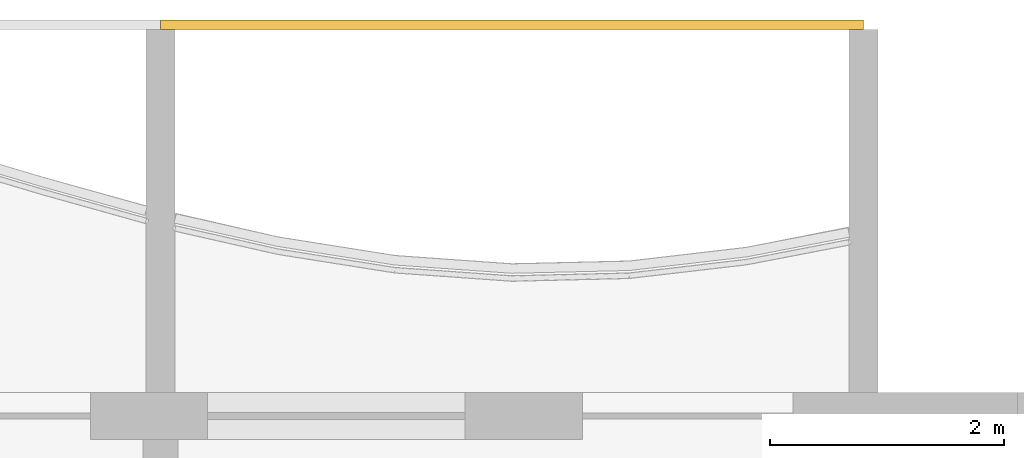
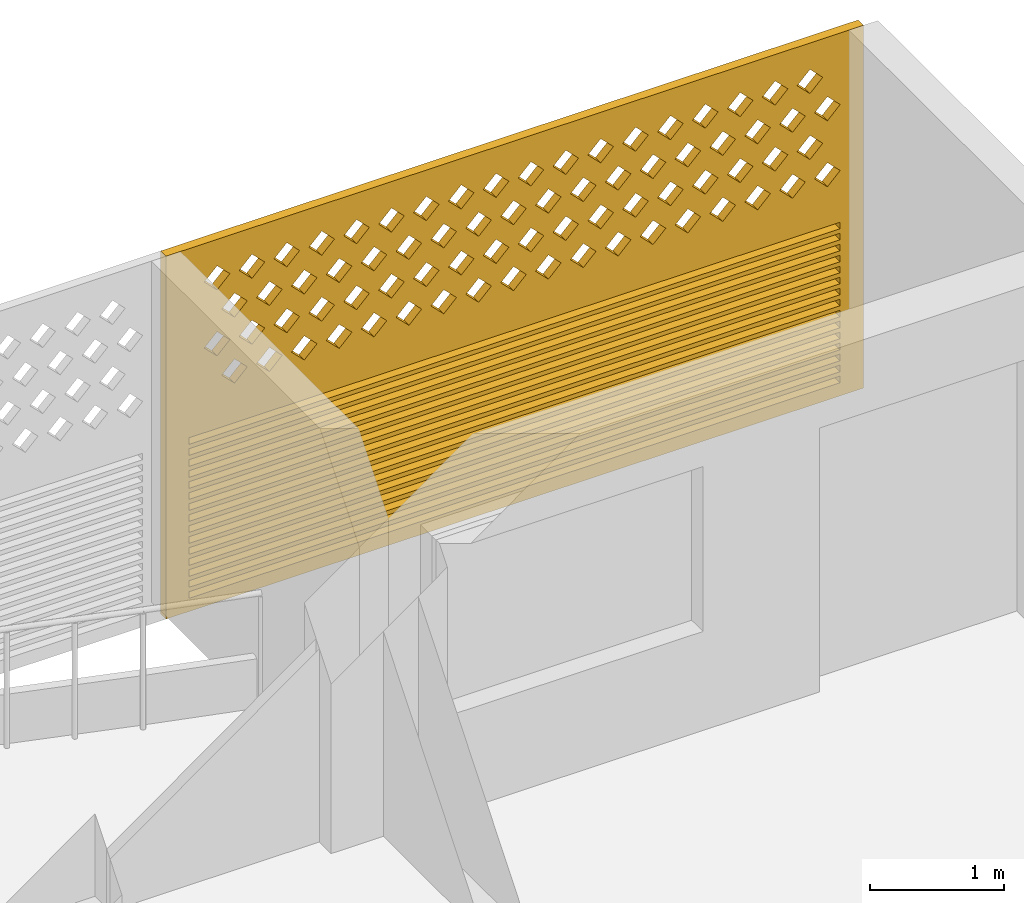
# One storey, part 33 of 33: 1 covering.
"""IFC4 building model written with IfcOpenShell, lengths in metres."""

from ifc_helpers import new_model, si_unit, direction, frame, origin, place, context, subcontext, project, spatial, polyline, outline, extrude, source, transform, mapped, material, material_profile, profile_set, type_object, element, save


model = new_model("IFC4")

# Units and contexts
model_context = context("Model", 3, precision=1e-05, world=origin(), true_north=direction((0.0, 1.0)))
body_context = subcontext(model_context, "Body", "Model", "MODEL_VIEW")
ifc_project = project(units=[si_unit("LENGTHUNIT", "METRE"), si_unit("AREAUNIT", "SQUARE_METRE"), si_unit("VOLUMEUNIT", "CUBIC_METRE"), si_unit("PLANEANGLEUNIT", "RADIAN"), si_unit("MASSUNIT", "GRAM", prefix="KILO")], contexts=[model_context])

# Site, building, storey
site_placement = place(None, origin())
site = spatial("IfcSite", under=ifc_project, at=site_placement, CompositionType="ELEMENT")
building_placement = place(site_placement, origin())
building = spatial("IfcBuilding", under=site, at=building_placement, Name="Poui Terraces", CompositionType="ELEMENT")
storey_placement = place(building_placement, frame((0.0, 0.0, 132.300048828125)))
storey = spatial("IfcBuildingStorey", under=building, at=storey_placement, Name="L36", CompositionType="ELEMENT", Elevation=132.300048828125)

# Covering
ifc_material = material(Name="Terracotta screen", Category="masonry")
ifc_material_profile = material_profile(ifc_material, outline(polyline([(-3.0, -1.64990234375), (3.0, -1.64990234375), (3.0, 1.64990234375), (-3.0, 1.64990234375), (-3.0, -1.64990234375)]), holes=[polyline([(-2.800048828125, 0.39990234375), (-2.68994140625, 0.2900390625), (-2.580078125, 0.39990234375), (-2.68994140625, 0.510009765625), (-2.800048828125, 0.39990234375)]), polyline([(-2.5, 0.39990234375), (-2.389892578125, 0.2900390625), (-2.280029296875, 0.39990234375), (-2.389892578125, 0.510009765625), (-2.5, 0.39990234375)]), polyline([(-2.199951171875, 0.39990234375), (-2.090087890625, 0.2900390625), (-1.97998046875, 0.39990234375), (-2.090087890625, 0.510009765625), (-2.199951171875, 0.39990234375)]), polyline([(-1.89990234375, 0.39990234375), (-1.7900390625, 0.2900390625), (-1.679931640625, 0.39990234375), (-1.7900390625, 0.510009765625), (-1.89990234375, 0.39990234375)]), polyline([(-1.60009765625, 0.39990234375), (-1.489990234375, 0.2900390625), (-1.3798828125, 0.39990234375), (-1.489990234375, 0.510009765625), (-1.60009765625, 0.39990234375)]), polyline([(-1.300048828125, 0.39990234375), (-1.18994140625, 0.2900390625), (-1.080078125, 0.39990234375), (-1.18994140625, 0.510009765625), (-1.300048828125, 0.39990234375)]), polyline([(-1.0, 0.39990234375), (-0.889892578125, 0.2900390625), (-0.780029296875, 0.39990234375), (-0.889892578125, 0.510009765625), (-1.0, 0.39990234375)]), polyline([(-0.699951171875, 0.39990234375), (-0.590087890625, 0.2900390625), (-0.47998046875, 0.39990234375), (-0.590087890625, 0.510009765625), (-0.699951171875, 0.39990234375)]), polyline([(-0.39990234375, 0.39990234375), (-0.2900390625, 0.2900390625), (-0.179931640625, 0.39990234375), (-0.2900390625, 0.510009765625), (-0.39990234375, 0.39990234375)]), polyline([(-0.10009765625, 0.39990234375), (0.010009765625, 0.2900390625), (0.1201171875, 0.39990234375), (0.010009765625, 0.510009765625), (-0.10009765625, 0.39990234375)]), polyline([(0.199951171875, 0.39990234375), (0.31005859375, 0.2900390625), (0.419921875, 0.39990234375), (0.31005859375, 0.510009765625), (0.199951171875, 0.39990234375)]), polyline([(0.5, 0.39990234375), (0.610107421875, 0.2900390625), (0.719970703125, 0.39990234375), (0.610107421875, 0.510009765625), (0.5, 0.39990234375)]), polyline([(0.800048828125, 0.39990234375), (0.909912109375, 0.2900390625), (1.02001953125, 0.39990234375), (0.909912109375, 0.510009765625), (0.800048828125, 0.39990234375)]), polyline([(1.10009765625, 0.39990234375), (1.2099609375, 0.2900390625), (1.320068359375, 0.39990234375), (1.2099609375, 0.510009765625), (1.10009765625, 0.39990234375)]), polyline([(1.39990234375, 0.39990234375), (1.510009765625, 0.2900390625), (1.6201171875, 0.39990234375), (1.510009765625, 0.510009765625), (1.39990234375, 0.39990234375)]), polyline([(1.699951171875, 0.39990234375), (1.81005859375, 0.2900390625), (1.919921875, 0.39990234375), (1.81005859375, 0.510009765625), (1.699951171875, 0.39990234375)]), polyline([(2.0, 0.39990234375), (2.110107421875, 0.2900390625), (2.219970703125, 0.39990234375), (2.110107421875, 0.510009765625), (2.0, 0.39990234375)]), polyline([(2.300048828125, 0.39990234375), (2.409912109375, 0.2900390625), (2.52001953125, 0.39990234375), (2.409912109375, 0.510009765625), (2.300048828125, 0.39990234375)]), polyline([(-2.64990234375, 0.699951171875), (-2.5400390625, 0.590087890625), (-2.429931640625, 0.699951171875), (-2.5400390625, 0.81005859375), (-2.64990234375, 0.699951171875)]), polyline([(-2.35009765625, 0.699951171875), (-2.239990234375, 0.590087890625), (-2.1298828125, 0.699951171875), (-2.239990234375, 0.81005859375), (-2.35009765625, 0.699951171875)]), polyline([(-2.050048828125, 0.699951171875), (-1.93994140625, 0.590087890625), (-1.830078125, 0.699951171875), (-1.93994140625, 0.81005859375), (-2.050048828125, 0.699951171875)]), polyline([(-1.75, 0.699951171875), (-1.639892578125, 0.590087890625), (-1.530029296875, 0.699951171875), (-1.639892578125, 0.81005859375), (-1.75, 0.699951171875)]), polyline([(-1.449951171875, 0.699951171875), (-1.340087890625, 0.590087890625), (-1.22998046875, 0.699951171875), (-1.340087890625, 0.81005859375), (-1.449951171875, 0.699951171875)]), polyline([(-1.14990234375, 0.699951171875), (-1.0400390625, 0.590087890625), (-0.929931640625, 0.699951171875), (-1.0400390625, 0.81005859375), (-1.14990234375, 0.699951171875)]), polyline([(-0.85009765625, 0.699951171875), (-0.739990234375, 0.590087890625), (-0.6298828125, 0.699951171875), (-0.739990234375, 0.81005859375), (-0.85009765625, 0.699951171875)]), polyline([(-0.550048828125, 0.699951171875), (-0.43994140625, 0.590087890625), (-0.330078125, 0.699951171875), (-0.43994140625, 0.81005859375), (-0.550048828125, 0.699951171875)]), polyline([(-0.25, 0.699951171875), (-0.139892578125, 0.590087890625), (-0.030029296875, 0.699951171875), (-0.139892578125, 0.81005859375), (-0.25, 0.699951171875)]), polyline([(0.050048828125, 0.699951171875), (0.159912109375, 0.590087890625), (0.27001953125, 0.699951171875), (0.159912109375, 0.81005859375), (0.050048828125, 0.699951171875)]), polyline([(0.35009765625, 0.699951171875), (0.4599609375, 0.590087890625), (0.570068359375, 0.699951171875), (0.4599609375, 0.81005859375), (0.35009765625, 0.699951171875)]), polyline([(0.64990234375, 0.699951171875), (0.760009765625, 0.590087890625), (0.8701171875, 0.699951171875), (0.760009765625, 0.81005859375), (0.64990234375, 0.699951171875)]), polyline([(0.949951171875, 0.699951171875), (1.06005859375, 0.590087890625), (1.169921875, 0.699951171875), (1.06005859375, 0.81005859375), (0.949951171875, 0.699951171875)]), polyline([(1.25, 0.699951171875), (1.360107421875, 0.590087890625), (1.469970703125, 0.699951171875), (1.360107421875, 0.81005859375), (1.25, 0.699951171875)]), polyline([(1.550048828125, 0.699951171875), (1.659912109375, 0.590087890625), (1.77001953125, 0.699951171875), (1.659912109375, 0.81005859375), (1.550048828125, 0.699951171875)]), polyline([(1.85009765625, 0.699951171875), (1.9599609375, 0.590087890625), (2.070068359375, 0.699951171875), (1.9599609375, 0.81005859375), (1.85009765625, 0.699951171875)]), polyline([(2.14990234375, 0.699951171875), (2.260009765625, 0.590087890625), (2.3701171875, 0.699951171875), (2.260009765625, 0.81005859375), (2.14990234375, 0.699951171875)]), polyline([(2.449951171875, 0.699951171875), (2.56005859375, 0.590087890625), (2.669921875, 0.699951171875), (2.56005859375, 0.81005859375), (2.449951171875, 0.699951171875)]), polyline([(-2.800048828125, 1.0), (-2.68994140625, 0.889892578125), (-2.580078125, 1.0), (-2.68994140625, 1.110107421875), (-2.800048828125, 1.0)]), polyline([(-2.5, 1.0), (-2.389892578125, 0.889892578125), (-2.280029296875, 1.0), (-2.389892578125, 1.110107421875), (-2.5, 1.0)]), polyline([(-2.199951171875, 1.0), (-2.090087890625, 0.889892578125), (-1.97998046875, 1.0), (-2.090087890625, 1.110107421875), (-2.199951171875, 1.0)]), polyline([(-1.89990234375, 1.0), (-1.7900390625, 0.889892578125), (-1.679931640625, 1.0), (-1.7900390625, 1.110107421875), (-1.89990234375, 1.0)]), polyline([(-1.60009765625, 1.0), (-1.489990234375, 0.889892578125), (-1.3798828125, 1.0), (-1.489990234375, 1.110107421875), (-1.60009765625, 1.0)]), polyline([(-1.300048828125, 1.0), (-1.18994140625, 0.889892578125), (-1.080078125, 1.0), (-1.18994140625, 1.110107421875), (-1.300048828125, 1.0)]), polyline([(-1.0, 1.0), (-0.889892578125, 0.889892578125), (-0.780029296875, 1.0), (-0.889892578125, 1.110107421875), (-1.0, 1.0)]), polyline([(-0.699951171875, 1.0), (-0.590087890625, 0.889892578125), (-0.47998046875, 1.0), (-0.590087890625, 1.110107421875), (-0.699951171875, 1.0)]), polyline([(-0.39990234375, 1.0), (-0.2900390625, 0.889892578125), (-0.179931640625, 1.0), (-0.2900390625, 1.110107421875), (-0.39990234375, 1.0)]), polyline([(-0.10009765625, 1.0), (0.010009765625, 0.889892578125), (0.1201171875, 1.0), (0.010009765625, 1.110107421875), (-0.10009765625, 1.0)]), polyline([(0.199951171875, 1.0), (0.31005859375, 0.889892578125), (0.419921875, 1.0), (0.31005859375, 1.110107421875), (0.199951171875, 1.0)]), polyline([(0.5, 1.0), (0.610107421875, 0.889892578125), (0.719970703125, 1.0), (0.610107421875, 1.110107421875), (0.5, 1.0)]), polyline([(0.800048828125, 1.0), (0.909912109375, 0.889892578125), (1.02001953125, 1.0), (0.909912109375, 1.110107421875), (0.800048828125, 1.0)]), polyline([(1.10009765625, 1.0), (1.2099609375, 0.889892578125), (1.320068359375, 1.0), (1.2099609375, 1.110107421875), (1.10009765625, 1.0)]), polyline([(1.39990234375, 1.0), (1.510009765625, 0.889892578125), (1.6201171875, 1.0), (1.510009765625, 1.110107421875), (1.39990234375, 1.0)]), polyline([(1.699951171875, 1.0), (1.81005859375, 0.889892578125), (1.919921875, 1.0), (1.81005859375, 1.110107421875), (1.699951171875, 1.0)]), polyline([(2.0, 1.0), (2.110107421875, 0.889892578125), (2.219970703125, 1.0), (2.110107421875, 1.110107421875), (2.0, 1.0)]), polyline([(2.300048828125, 1.0), (2.409912109375, 0.889892578125), (2.52001953125, 1.0), (2.409912109375, 1.110107421875), (2.300048828125, 1.0)]), polyline([(-2.64990234375, 1.300048828125), (-2.5400390625, 1.18994140625), (-2.429931640625, 1.300048828125), (-2.5400390625, 1.409912109375), (-2.64990234375, 1.300048828125)]), polyline([(-2.35009765625, 1.300048828125), (-2.239990234375, 1.18994140625), (-2.1298828125, 1.300048828125), (-2.239990234375, 1.409912109375), (-2.35009765625, 1.300048828125)]), polyline([(-2.050048828125, 1.300048828125), (-1.93994140625, 1.18994140625), (-1.830078125, 1.300048828125), (-1.93994140625, 1.409912109375), (-2.050048828125, 1.300048828125)]), polyline([(-1.75, 1.300048828125), (-1.639892578125, 1.18994140625), (-1.530029296875, 1.300048828125), (-1.639892578125, 1.409912109375), (-1.75, 1.300048828125)]), polyline([(-1.449951171875, 1.300048828125), (-1.340087890625, 1.18994140625), (-1.22998046875, 1.300048828125), (-1.340087890625, 1.409912109375), (-1.449951171875, 1.300048828125)]), polyline([(-1.14990234375, 1.300048828125), (-1.0400390625, 1.18994140625), (-0.929931640625, 1.300048828125), (-1.0400390625, 1.409912109375), (-1.14990234375, 1.300048828125)]), polyline([(-0.85009765625, 1.300048828125), (-0.739990234375, 1.18994140625), (-0.6298828125, 1.300048828125), (-0.739990234375, 1.409912109375), (-0.85009765625, 1.300048828125)]), polyline([(-0.550048828125, 1.300048828125), (-0.43994140625, 1.18994140625), (-0.330078125, 1.300048828125), (-0.43994140625, 1.409912109375), (-0.550048828125, 1.300048828125)]), polyline([(-0.25, 1.300048828125), (-0.139892578125, 1.18994140625), (-0.030029296875, 1.300048828125), (-0.139892578125, 1.409912109375), (-0.25, 1.300048828125)]), polyline([(0.050048828125, 1.300048828125), (0.159912109375, 1.18994140625), (0.27001953125, 1.300048828125), (0.159912109375, 1.409912109375), (0.050048828125, 1.300048828125)]), polyline([(0.35009765625, 1.300048828125), (0.4599609375, 1.18994140625), (0.570068359375, 1.300048828125), (0.4599609375, 1.409912109375), (0.35009765625, 1.300048828125)]), polyline([(0.64990234375, 1.300048828125), (0.760009765625, 1.18994140625), (0.8701171875, 1.300048828125), (0.760009765625, 1.409912109375), (0.64990234375, 1.300048828125)]), polyline([(0.949951171875, 1.300048828125), (1.06005859375, 1.18994140625), (1.169921875, 1.300048828125), (1.06005859375, 1.409912109375), (0.949951171875, 1.300048828125)]), polyline([(1.25, 1.300048828125), (1.360107421875, 1.18994140625), (1.469970703125, 1.300048828125), (1.360107421875, 1.409912109375), (1.25, 1.300048828125)]), polyline([(1.550048828125, 1.300048828125), (1.659912109375, 1.18994140625), (1.77001953125, 1.300048828125), (1.659912109375, 1.409912109375), (1.550048828125, 1.300048828125)]), polyline([(1.85009765625, 1.300048828125), (1.9599609375, 1.18994140625), (2.070068359375, 1.300048828125), (1.9599609375, 1.409912109375), (1.85009765625, 1.300048828125)]), polyline([(2.14990234375, 1.300048828125), (2.260009765625, 1.18994140625), (2.3701171875, 1.300048828125), (2.260009765625, 1.409912109375), (2.14990234375, 1.300048828125)]), polyline([(2.449951171875, 1.300048828125), (2.56005859375, 1.18994140625), (2.669921875, 1.300048828125), (2.56005859375, 1.409912109375), (2.449951171875, 1.300048828125)]), polyline([(-2.800048828125, -1.530029296875), (2.800048828125, -1.530029296875), (2.800048828125, -1.469970703125), (-2.800048828125, -1.469970703125), (-2.800048828125, -1.530029296875)]), polyline([(-2.800048828125, -1.429931640625), (2.800048828125, -1.429931640625), (2.800048828125, -1.3701171875), (-2.800048828125, -1.3701171875), (-2.800048828125, -1.429931640625)]), polyline([(-2.800048828125, -1.330078125), (2.800048828125, -1.330078125), (2.800048828125, -1.27001953125), (-2.800048828125, -1.27001953125), (-2.800048828125, -1.330078125)]), polyline([(-2.800048828125, -1.22998046875), (2.800048828125, -1.22998046875), (2.800048828125, -1.169921875), (-2.800048828125, -1.169921875), (-2.800048828125, -1.22998046875)]), polyline([(-2.800048828125, -1.1298828125), (2.800048828125, -1.1298828125), (2.800048828125, -1.070068359375), (-2.800048828125, -1.070068359375), (-2.800048828125, -1.1298828125)]), polyline([(-2.800048828125, -1.030029296875), (2.800048828125, -1.030029296875), (2.800048828125, -0.969970703125), (-2.800048828125, -0.969970703125), (-2.800048828125, -1.030029296875)]), polyline([(-2.800048828125, -0.929931640625), (2.800048828125, -0.929931640625), (2.800048828125, -0.8701171875), (-2.800048828125, -0.8701171875), (-2.800048828125, -0.929931640625)]), polyline([(-2.800048828125, -0.830078125), (2.800048828125, -0.830078125), (2.800048828125, -0.77001953125), (-2.800048828125, -0.77001953125), (-2.800048828125, -0.830078125)]), polyline([(-2.800048828125, -0.72998046875), (2.800048828125, -0.72998046875), (2.800048828125, -0.669921875), (-2.800048828125, -0.669921875), (-2.800048828125, -0.72998046875)]), polyline([(-2.800048828125, -0.6298828125), (2.800048828125, -0.6298828125), (2.800048828125, -0.570068359375), (-2.800048828125, -0.570068359375), (-2.800048828125, -0.6298828125)]), polyline([(-2.800048828125, -0.530029296875), (2.800048828125, -0.530029296875), (2.800048828125, -0.469970703125), (-2.800048828125, -0.469970703125), (-2.800048828125, -0.530029296875)]), polyline([(-2.800048828125, -0.429931640625), (2.800048828125, -0.429931640625), (2.800048828125, -0.3701171875), (-2.800048828125, -0.3701171875), (-2.800048828125, -0.429931640625)]), polyline([(-2.800048828125, -0.330078125), (2.800048828125, -0.330078125), (2.800048828125, -0.27001953125), (-2.800048828125, -0.27001953125), (-2.800048828125, -0.330078125)]), polyline([(-2.800048828125, -0.22998046875), (2.800048828125, -0.22998046875), (2.800048828125, -0.169921875), (-2.800048828125, -0.169921875), (-2.800048828125, -0.22998046875)]), polyline([(-2.800048828125, -0.1298828125), (2.800048828125, -0.1298828125), (2.800048828125, -0.070068359375), (-2.800048828125, -0.070068359375), (-2.800048828125, -0.1298828125)])]), Name="TERRACOTTA SCREEN AND JALOUSIE LOUVRE 6000X3300")
ifc_profile_set = profile_set([ifc_material_profile], Name="Terracotta screen")
covering_type = type_object("IfcCoveringType", Name="TERRACOTTA SCREEN AND JALOUSIE LOUVRE 6000X3300", PredefinedType="CLADDING", material=ifc_profile_set)
shared_shape = source(origin(), body_context, "Body", "SweptSolid", [
    extrude(outline(polyline([(-3.0, -1.64990234375), (3.0, -1.64990234375), (3.0, 1.64990234375), (-3.0, 1.64990234375), (-3.0, -1.64990234375)]), holes=[polyline([(-2.800048828125, 0.39990234375), (-2.68994140625, 0.2900390625), (-2.580078125, 0.39990234375), (-2.68994140625, 0.510009765625), (-2.800048828125, 0.39990234375)]), polyline([(-2.5, 0.39990234375), (-2.389892578125, 0.2900390625), (-2.280029296875, 0.39990234375), (-2.389892578125, 0.510009765625), (-2.5, 0.39990234375)]), polyline([(-2.199951171875, 0.39990234375), (-2.090087890625, 0.2900390625), (-1.97998046875, 0.39990234375), (-2.090087890625, 0.510009765625), (-2.199951171875, 0.39990234375)]), polyline([(-1.89990234375, 0.39990234375), (-1.7900390625, 0.2900390625), (-1.679931640625, 0.39990234375), (-1.7900390625, 0.510009765625), (-1.89990234375, 0.39990234375)]), polyline([(-1.60009765625, 0.39990234375), (-1.489990234375, 0.2900390625), (-1.3798828125, 0.39990234375), (-1.489990234375, 0.510009765625), (-1.60009765625, 0.39990234375)]), polyline([(-1.300048828125, 0.39990234375), (-1.18994140625, 0.2900390625), (-1.080078125, 0.39990234375), (-1.18994140625, 0.510009765625), (-1.300048828125, 0.39990234375)]), polyline([(-1.0, 0.39990234375), (-0.889892578125, 0.2900390625), (-0.780029296875, 0.39990234375), (-0.889892578125, 0.510009765625), (-1.0, 0.39990234375)]), polyline([(-0.699951171875, 0.39990234375), (-0.590087890625, 0.2900390625), (-0.47998046875, 0.39990234375), (-0.590087890625, 0.510009765625), (-0.699951171875, 0.39990234375)]), polyline([(-0.39990234375, 0.39990234375), (-0.2900390625, 0.2900390625), (-0.179931640625, 0.39990234375), (-0.2900390625, 0.510009765625), (-0.39990234375, 0.39990234375)]), polyline([(-0.10009765625, 0.39990234375), (0.010009765625, 0.2900390625), (0.1201171875, 0.39990234375), (0.010009765625, 0.510009765625), (-0.10009765625, 0.39990234375)]), polyline([(0.199951171875, 0.39990234375), (0.31005859375, 0.2900390625), (0.419921875, 0.39990234375), (0.31005859375, 0.510009765625), (0.199951171875, 0.39990234375)]), polyline([(0.5, 0.39990234375), (0.610107421875, 0.2900390625), (0.719970703125, 0.39990234375), (0.610107421875, 0.510009765625), (0.5, 0.39990234375)]), polyline([(0.800048828125, 0.39990234375), (0.909912109375, 0.2900390625), (1.02001953125, 0.39990234375), (0.909912109375, 0.510009765625), (0.800048828125, 0.39990234375)]), polyline([(1.10009765625, 0.39990234375), (1.2099609375, 0.2900390625), (1.320068359375, 0.39990234375), (1.2099609375, 0.510009765625), (1.10009765625, 0.39990234375)]), polyline([(1.39990234375, 0.39990234375), (1.510009765625, 0.2900390625), (1.6201171875, 0.39990234375), (1.510009765625, 0.510009765625), (1.39990234375, 0.39990234375)]), polyline([(1.699951171875, 0.39990234375), (1.81005859375, 0.2900390625), (1.919921875, 0.39990234375), (1.81005859375, 0.510009765625), (1.699951171875, 0.39990234375)]), polyline([(2.0, 0.39990234375), (2.110107421875, 0.2900390625), (2.219970703125, 0.39990234375), (2.110107421875, 0.510009765625), (2.0, 0.39990234375)]), polyline([(2.300048828125, 0.39990234375), (2.409912109375, 0.2900390625), (2.52001953125, 0.39990234375), (2.409912109375, 0.510009765625), (2.300048828125, 0.39990234375)]), polyline([(-2.64990234375, 0.699951171875), (-2.5400390625, 0.590087890625), (-2.429931640625, 0.699951171875), (-2.5400390625, 0.81005859375), (-2.64990234375, 0.699951171875)]), polyline([(-2.35009765625, 0.699951171875), (-2.239990234375, 0.590087890625), (-2.1298828125, 0.699951171875), (-2.239990234375, 0.81005859375), (-2.35009765625, 0.699951171875)]), polyline([(-2.050048828125, 0.699951171875), (-1.93994140625, 0.590087890625), (-1.830078125, 0.699951171875), (-1.93994140625, 0.81005859375), (-2.050048828125, 0.699951171875)]), polyline([(-1.75, 0.699951171875), (-1.639892578125, 0.590087890625), (-1.530029296875, 0.699951171875), (-1.639892578125, 0.81005859375), (-1.75, 0.699951171875)]), polyline([(-1.449951171875, 0.699951171875), (-1.340087890625, 0.590087890625), (-1.22998046875, 0.699951171875), (-1.340087890625, 0.81005859375), (-1.449951171875, 0.699951171875)]), polyline([(-1.14990234375, 0.699951171875), (-1.0400390625, 0.590087890625), (-0.929931640625, 0.699951171875), (-1.0400390625, 0.81005859375), (-1.14990234375, 0.699951171875)]), polyline([(-0.85009765625, 0.699951171875), (-0.739990234375, 0.590087890625), (-0.6298828125, 0.699951171875), (-0.739990234375, 0.81005859375), (-0.85009765625, 0.699951171875)]), polyline([(-0.550048828125, 0.699951171875), (-0.43994140625, 0.590087890625), (-0.330078125, 0.699951171875), (-0.43994140625, 0.81005859375), (-0.550048828125, 0.699951171875)]), polyline([(-0.25, 0.699951171875), (-0.139892578125, 0.590087890625), (-0.030029296875, 0.699951171875), (-0.139892578125, 0.81005859375), (-0.25, 0.699951171875)]), polyline([(0.050048828125, 0.699951171875), (0.159912109375, 0.590087890625), (0.27001953125, 0.699951171875), (0.159912109375, 0.81005859375), (0.050048828125, 0.699951171875)]), polyline([(0.35009765625, 0.699951171875), (0.4599609375, 0.590087890625), (0.570068359375, 0.699951171875), (0.4599609375, 0.81005859375), (0.35009765625, 0.699951171875)]), polyline([(0.64990234375, 0.699951171875), (0.760009765625, 0.590087890625), (0.8701171875, 0.699951171875), (0.760009765625, 0.81005859375), (0.64990234375, 0.699951171875)]), polyline([(0.949951171875, 0.699951171875), (1.06005859375, 0.590087890625), (1.169921875, 0.699951171875), (1.06005859375, 0.81005859375), (0.949951171875, 0.699951171875)]), polyline([(1.25, 0.699951171875), (1.360107421875, 0.590087890625), (1.469970703125, 0.699951171875), (1.360107421875, 0.81005859375), (1.25, 0.699951171875)]), polyline([(1.550048828125, 0.699951171875), (1.659912109375, 0.590087890625), (1.77001953125, 0.699951171875), (1.659912109375, 0.81005859375), (1.550048828125, 0.699951171875)]), polyline([(1.85009765625, 0.699951171875), (1.9599609375, 0.590087890625), (2.070068359375, 0.699951171875), (1.9599609375, 0.81005859375), (1.85009765625, 0.699951171875)]), polyline([(2.14990234375, 0.699951171875), (2.260009765625, 0.590087890625), (2.3701171875, 0.699951171875), (2.260009765625, 0.81005859375), (2.14990234375, 0.699951171875)]), polyline([(2.449951171875, 0.699951171875), (2.56005859375, 0.590087890625), (2.669921875, 0.699951171875), (2.56005859375, 0.81005859375), (2.449951171875, 0.699951171875)]), polyline([(-2.800048828125, 1.0), (-2.68994140625, 0.889892578125), (-2.580078125, 1.0), (-2.68994140625, 1.110107421875), (-2.800048828125, 1.0)]), polyline([(-2.5, 1.0), (-2.389892578125, 0.889892578125), (-2.280029296875, 1.0), (-2.389892578125, 1.110107421875), (-2.5, 1.0)]), polyline([(-2.199951171875, 1.0), (-2.090087890625, 0.889892578125), (-1.97998046875, 1.0), (-2.090087890625, 1.110107421875), (-2.199951171875, 1.0)]), polyline([(-1.89990234375, 1.0), (-1.7900390625, 0.889892578125), (-1.679931640625, 1.0), (-1.7900390625, 1.110107421875), (-1.89990234375, 1.0)]), polyline([(-1.60009765625, 1.0), (-1.489990234375, 0.889892578125), (-1.3798828125, 1.0), (-1.489990234375, 1.110107421875), (-1.60009765625, 1.0)]), polyline([(-1.300048828125, 1.0), (-1.18994140625, 0.889892578125), (-1.080078125, 1.0), (-1.18994140625, 1.110107421875), (-1.300048828125, 1.0)]), polyline([(-1.0, 1.0), (-0.889892578125, 0.889892578125), (-0.780029296875, 1.0), (-0.889892578125, 1.110107421875), (-1.0, 1.0)]), polyline([(-0.699951171875, 1.0), (-0.590087890625, 0.889892578125), (-0.47998046875, 1.0), (-0.590087890625, 1.110107421875), (-0.699951171875, 1.0)]), polyline([(-0.39990234375, 1.0), (-0.2900390625, 0.889892578125), (-0.179931640625, 1.0), (-0.2900390625, 1.110107421875), (-0.39990234375, 1.0)]), polyline([(-0.10009765625, 1.0), (0.010009765625, 0.889892578125), (0.1201171875, 1.0), (0.010009765625, 1.110107421875), (-0.10009765625, 1.0)]), polyline([(0.199951171875, 1.0), (0.31005859375, 0.889892578125), (0.419921875, 1.0), (0.31005859375, 1.110107421875), (0.199951171875, 1.0)]), polyline([(0.5, 1.0), (0.610107421875, 0.889892578125), (0.719970703125, 1.0), (0.610107421875, 1.110107421875), (0.5, 1.0)]), polyline([(0.800048828125, 1.0), (0.909912109375, 0.889892578125), (1.02001953125, 1.0), (0.909912109375, 1.110107421875), (0.800048828125, 1.0)]), polyline([(1.10009765625, 1.0), (1.2099609375, 0.889892578125), (1.320068359375, 1.0), (1.2099609375, 1.110107421875), (1.10009765625, 1.0)]), polyline([(1.39990234375, 1.0), (1.510009765625, 0.889892578125), (1.6201171875, 1.0), (1.510009765625, 1.110107421875), (1.39990234375, 1.0)]), polyline([(1.699951171875, 1.0), (1.81005859375, 0.889892578125), (1.919921875, 1.0), (1.81005859375, 1.110107421875), (1.699951171875, 1.0)]), polyline([(2.0, 1.0), (2.110107421875, 0.889892578125), (2.219970703125, 1.0), (2.110107421875, 1.110107421875), (2.0, 1.0)]), polyline([(2.300048828125, 1.0), (2.409912109375, 0.889892578125), (2.52001953125, 1.0), (2.409912109375, 1.110107421875), (2.300048828125, 1.0)]), polyline([(-2.64990234375, 1.300048828125), (-2.5400390625, 1.18994140625), (-2.429931640625, 1.300048828125), (-2.5400390625, 1.409912109375), (-2.64990234375, 1.300048828125)]), polyline([(-2.35009765625, 1.300048828125), (-2.239990234375, 1.18994140625), (-2.1298828125, 1.300048828125), (-2.239990234375, 1.409912109375), (-2.35009765625, 1.300048828125)]), polyline([(-2.050048828125, 1.300048828125), (-1.93994140625, 1.18994140625), (-1.830078125, 1.300048828125), (-1.93994140625, 1.409912109375), (-2.050048828125, 1.300048828125)]), polyline([(-1.75, 1.300048828125), (-1.639892578125, 1.18994140625), (-1.530029296875, 1.300048828125), (-1.639892578125, 1.409912109375), (-1.75, 1.300048828125)]), polyline([(-1.449951171875, 1.300048828125), (-1.340087890625, 1.18994140625), (-1.22998046875, 1.300048828125), (-1.340087890625, 1.409912109375), (-1.449951171875, 1.300048828125)]), polyline([(-1.14990234375, 1.300048828125), (-1.0400390625, 1.18994140625), (-0.929931640625, 1.300048828125), (-1.0400390625, 1.409912109375), (-1.14990234375, 1.300048828125)]), polyline([(-0.85009765625, 1.300048828125), (-0.739990234375, 1.18994140625), (-0.6298828125, 1.300048828125), (-0.739990234375, 1.409912109375), (-0.85009765625, 1.300048828125)]), polyline([(-0.550048828125, 1.300048828125), (-0.43994140625, 1.18994140625), (-0.330078125, 1.300048828125), (-0.43994140625, 1.409912109375), (-0.550048828125, 1.300048828125)]), polyline([(-0.25, 1.300048828125), (-0.139892578125, 1.18994140625), (-0.030029296875, 1.300048828125), (-0.139892578125, 1.409912109375), (-0.25, 1.300048828125)]), polyline([(0.050048828125, 1.300048828125), (0.159912109375, 1.18994140625), (0.27001953125, 1.300048828125), (0.159912109375, 1.409912109375), (0.050048828125, 1.300048828125)]), polyline([(0.35009765625, 1.300048828125), (0.4599609375, 1.18994140625), (0.570068359375, 1.300048828125), (0.4599609375, 1.409912109375), (0.35009765625, 1.300048828125)]), polyline([(0.64990234375, 1.300048828125), (0.760009765625, 1.18994140625), (0.8701171875, 1.300048828125), (0.760009765625, 1.409912109375), (0.64990234375, 1.300048828125)]), polyline([(0.949951171875, 1.300048828125), (1.06005859375, 1.18994140625), (1.169921875, 1.300048828125), (1.06005859375, 1.409912109375), (0.949951171875, 1.300048828125)]), polyline([(1.25, 1.300048828125), (1.360107421875, 1.18994140625), (1.469970703125, 1.300048828125), (1.360107421875, 1.409912109375), (1.25, 1.300048828125)]), polyline([(1.550048828125, 1.300048828125), (1.659912109375, 1.18994140625), (1.77001953125, 1.300048828125), (1.659912109375, 1.409912109375), (1.550048828125, 1.300048828125)]), polyline([(1.85009765625, 1.300048828125), (1.9599609375, 1.18994140625), (2.070068359375, 1.300048828125), (1.9599609375, 1.409912109375), (1.85009765625, 1.300048828125)]), polyline([(2.14990234375, 1.300048828125), (2.260009765625, 1.18994140625), (2.3701171875, 1.300048828125), (2.260009765625, 1.409912109375), (2.14990234375, 1.300048828125)]), polyline([(2.449951171875, 1.300048828125), (2.56005859375, 1.18994140625), (2.669921875, 1.300048828125), (2.56005859375, 1.409912109375), (2.449951171875, 1.300048828125)]), polyline([(-2.800048828125, -1.530029296875), (2.800048828125, -1.530029296875), (2.800048828125, -1.469970703125), (-2.800048828125, -1.469970703125), (-2.800048828125, -1.530029296875)]), polyline([(-2.800048828125, -1.429931640625), (2.800048828125, -1.429931640625), (2.800048828125, -1.3701171875), (-2.800048828125, -1.3701171875), (-2.800048828125, -1.429931640625)]), polyline([(-2.800048828125, -1.330078125), (2.800048828125, -1.330078125), (2.800048828125, -1.27001953125), (-2.800048828125, -1.27001953125), (-2.800048828125, -1.330078125)]), polyline([(-2.800048828125, -1.22998046875), (2.800048828125, -1.22998046875), (2.800048828125, -1.169921875), (-2.800048828125, -1.169921875), (-2.800048828125, -1.22998046875)]), polyline([(-2.800048828125, -1.1298828125), (2.800048828125, -1.1298828125), (2.800048828125, -1.070068359375), (-2.800048828125, -1.070068359375), (-2.800048828125, -1.1298828125)]), polyline([(-2.800048828125, -1.030029296875), (2.800048828125, -1.030029296875), (2.800048828125, -0.969970703125), (-2.800048828125, -0.969970703125), (-2.800048828125, -1.030029296875)]), polyline([(-2.800048828125, -0.929931640625), (2.800048828125, -0.929931640625), (2.800048828125, -0.8701171875), (-2.800048828125, -0.8701171875), (-2.800048828125, -0.929931640625)]), polyline([(-2.800048828125, -0.830078125), (2.800048828125, -0.830078125), (2.800048828125, -0.77001953125), (-2.800048828125, -0.77001953125), (-2.800048828125, -0.830078125)]), polyline([(-2.800048828125, -0.72998046875), (2.800048828125, -0.72998046875), (2.800048828125, -0.669921875), (-2.800048828125, -0.669921875), (-2.800048828125, -0.72998046875)]), polyline([(-2.800048828125, -0.6298828125), (2.800048828125, -0.6298828125), (2.800048828125, -0.570068359375), (-2.800048828125, -0.570068359375), (-2.800048828125, -0.6298828125)]), polyline([(-2.800048828125, -0.530029296875), (2.800048828125, -0.530029296875), (2.800048828125, -0.469970703125), (-2.800048828125, -0.469970703125), (-2.800048828125, -0.530029296875)]), polyline([(-2.800048828125, -0.429931640625), (2.800048828125, -0.429931640625), (2.800048828125, -0.3701171875), (-2.800048828125, -0.3701171875), (-2.800048828125, -0.429931640625)]), polyline([(-2.800048828125, -0.330078125), (2.800048828125, -0.330078125), (2.800048828125, -0.27001953125), (-2.800048828125, -0.27001953125), (-2.800048828125, -0.330078125)]), polyline([(-2.800048828125, -0.22998046875), (2.800048828125, -0.22998046875), (2.800048828125, -0.169921875), (-2.800048828125, -0.169921875), (-2.800048828125, -0.22998046875)]), polyline([(-2.800048828125, -0.1298828125), (2.800048828125, -0.1298828125), (2.800048828125, -0.070068359375), (-2.800048828125, -0.070068359375), (-2.800048828125, -0.1298828125)])]), origin(), (0.0, 0.0, 1.0), 0.080078125),
])
covering_placement = place(storey_placement, frame((81.0, 45.699951171875, 1.449951171875), z_axis=(0.0, 1.0, 0.0), x_axis=(-1.0, 0.0, 0.0)))
element("IfcCovering", 1, at=covering_placement, inside=storey, type_object=covering_type, Name="SOLAR SCREEN AND JALOUSIE LOUVRE", PredefinedType="CLADDING", context=body_context, shape_type="MappedRepresentation", body=[
    mapped(shared_shape, transform((0.0, 0.0, 0.0))),
])

save(model, "model.ifc")
